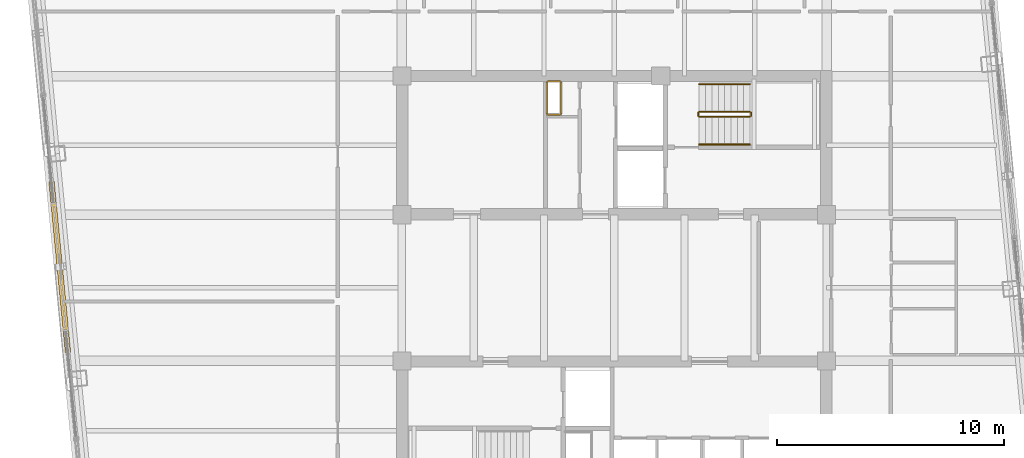
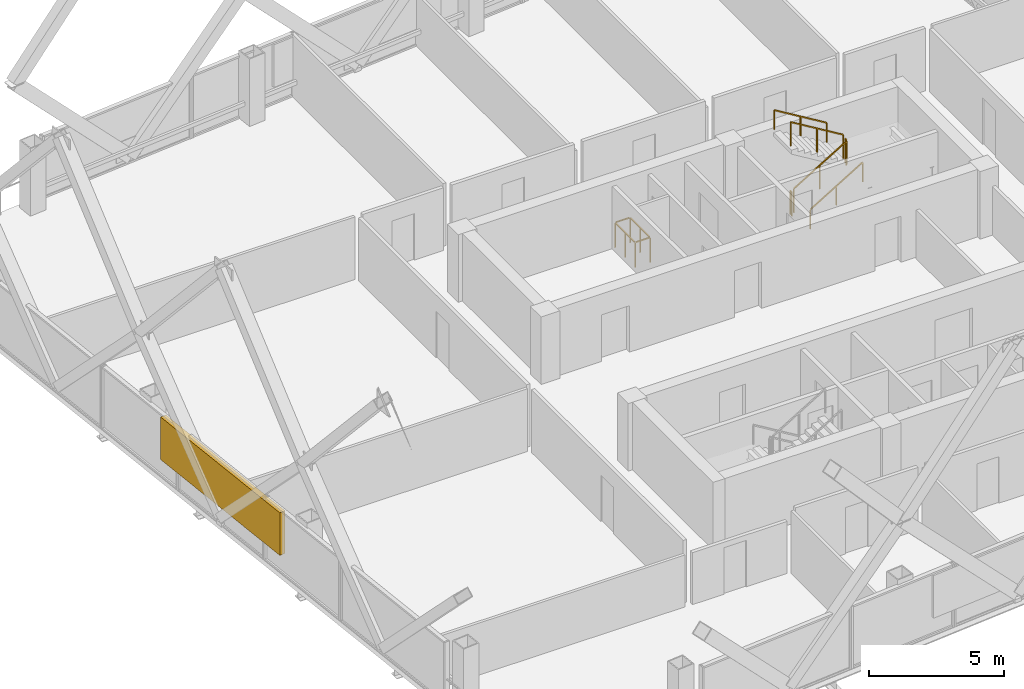
# One storey, part 33 of 34: 7 railings, 1 shading device.
"""IFC4 building model written with IfcOpenShell, lengths in metres."""

from ifc_helpers import new_model, si_unit, direction, frame, origin, origin_2d, place, context, subcontext, project, spatial, rectangle, extrude, material, type_object, element, save


model = new_model("IFC4")

# Units and contexts
model_context = context("Model", 3, precision=1e-05, world=origin(), true_north=direction((0.0, 1.0)))
body_context = subcontext(model_context, "Body", "Model", "MODEL_VIEW")
ifc_project = project(units=[si_unit("LENGTHUNIT", "METRE"), si_unit("AREAUNIT", "SQUARE_METRE"), si_unit("VOLUMEUNIT", "CUBIC_METRE"), si_unit("PLANEANGLEUNIT", "RADIAN"), si_unit("MASSUNIT", "GRAM", prefix="KILO")], contexts=[model_context])

# Site, building, storey
site_placement = place(None, origin())
site = spatial("IfcSite", under=ifc_project, at=site_placement, CompositionType="ELEMENT")
building_placement = place(site_placement, origin())
building = spatial("IfcBuilding", under=site, at=building_placement, Name="Qhalaya Broadcast Tower", CompositionType="ELEMENT")
storey_placement = place(building_placement, frame((0.0, 0.0, 168.35009765625)))
storey = spatial("IfcBuildingStorey", under=building, at=storey_placement, Name="L49", CompositionType="ELEMENT", Elevation=168.35009765625)

# Railings
ifc_material_1 = material(Name="Powder-Coated Galvanised Steel", Category="steel")
railing_type_1 = type_object("IfcRailingType", Name="Stair Wall Handrail 900", PredefinedType="HANDRAIL", material=ifc_material_1)
railing_1_placement = place(storey_placement, frame((3.75, 6.929931640625, 0.16943359375)))
element("IfcRailing", 1, at=railing_1_placement, inside=storey, type_object=railing_type_1, Name="L49 ST-1 Stair Handrail 1", PredefinedType="HANDRAIL", context=body_context, shape_type="SweptSolid", body=[
    extrude(rectangle(XDim=0.048095703125, YDim=0.048095703125, at=origin_2d()), frame((0.0, 0.0, 0.8759765625), z_axis=(0.855553338991, 0.0, 0.51771467445), x_axis=(0.0, 1.0, 0.0)), (0.0, 0.0, 1.0), 2.6181640625),
    extrude(rectangle(XDim=0.0419921875, YDim=0.0419921875, at=origin_2d()), origin(), (0.0, 0.0, 1.0), 0.849853515625),
    extrude(rectangle(XDim=0.0419921875, YDim=0.0419921875, at=origin_2d()), frame((1.1201171875, 0.0, 0.677734375)), (0.0, 0.0, 1.0), 0.849853515625),
    extrude(rectangle(XDim=0.0419921875, YDim=0.0419921875, at=origin_2d()), frame((2.239990234375, 0.0, 1.35546875)), (0.0, 0.0, 1.0), 0.849853515625),
])
railing_2_placement = place(storey_placement, frame((5.989990234375, 9.590087890625, 1.6943359375)))
element("IfcRailing", 2, at=railing_2_placement, inside=storey, type_object=railing_type_1, Name="L49 ST-1 Stair Handrail 2", PredefinedType="HANDRAIL", context=body_context, shape_type="SweptSolid", body=[
    extrude(rectangle(XDim=0.048095703125, YDim=0.048095703125, at=origin_2d()), frame((0.0, 0.0, 0.8759765625), z_axis=(-0.855553338991, 0.0, 0.51771467445), x_axis=(0.0, -1.0, 0.0)), (0.0, 0.0, 1.0), 2.6181640625),
    extrude(rectangle(XDim=0.0419921875, YDim=0.0419921875, at=origin_2d()), origin(), (0.0, 0.0, 1.0), 0.849853515625),
    extrude(rectangle(XDim=0.0419921875, YDim=0.0419921875, at=origin_2d()), frame((-1.1201171875, 0.0, 0.677734375)), (0.0, 0.0, 1.0), 0.849853515625),
    extrude(rectangle(XDim=0.0419921875, YDim=0.0419921875, at=origin_2d()), frame((-2.239990234375, 0.0, 1.35546875)), (0.0, 0.0, 1.0), 0.849853515625),
])
railing_type_2 = type_object("IfcRailingType", Name="Stair Well & Landing Guardrail 1100", PredefinedType="GUARDRAIL", material=ifc_material_1)
railing_3_placement = place(storey_placement, frame((-2.340087890625, 8.239990234375, 0.0)))
element("IfcRailing", 3, at=railing_3_placement, inside=storey, type_object=railing_type_2, Name="L49 Service Riser Opening Safety Guard NRSR", PredefinedType="GUARDRAIL", context=body_context, shape_type="SweptSolid", body=[
    extrude(rectangle(XDim=0.048095703125, YDim=0.048095703125, at=origin_2d()), frame((0.0, 0.02880859375, 1.1259765625), z_axis=(0.0, 1.0, 0.0), x_axis=(-1.0, 0.0, 0.0)), (0.0, 0.0, 1.0), 1.42236328125),
    extrude(rectangle(XDim=0.048095703125, YDim=0.048095703125, at=origin_2d()), frame((-0.02880859375, 1.47998046875, 1.1259765625), z_axis=(-1.0, 0.0, 0.0), x_axis=(0.0, -1.0, 0.0)), (0.0, 0.0, 1.0), 0.582275390625),
    extrude(rectangle(XDim=0.048095703125, YDim=0.048095703125, at=origin_2d()), frame((-0.639892578125, 1.451171875, 1.1259765625), z_axis=(0.0, -1.0, 0.0), x_axis=(1.0, 0.0, 0.0)), (0.0, 0.0, 1.0), 1.42236328125),
    extrude(rectangle(XDim=0.048095703125, YDim=0.048095703125, at=origin_2d()), frame((-0.611083984375, 0.0, 1.1259765625), z_axis=(1.0, 0.0, 0.0), x_axis=(0.0, 1.0, 0.0)), (0.0, 0.0, 1.0), 0.582275390625),
    extrude(rectangle(XDim=0.0419921875, YDim=0.0419921875, at=origin_2d()), origin(), (0.0, 0.0, 1.0), 1.099853515625),
    extrude(rectangle(XDim=0.0419921875, YDim=0.0419921875, at=origin_2d()), frame((0.0, 0.739990234375, 0.0)), (0.0, 0.0, 1.0), 1.099853515625),
    extrude(rectangle(XDim=0.0419921875, YDim=0.0419921875, at=origin_2d()), frame((0.0, 1.47998046875, 0.0)), (0.0, 0.0, 1.0), 1.099853515625),
    extrude(rectangle(XDim=0.0419921875, YDim=0.0419921875, at=origin_2d()), frame((-0.639892578125, 1.47998046875, 0.0)), (0.0, 0.0, 1.0), 1.099853515625),
    extrude(rectangle(XDim=0.0419921875, YDim=0.0419921875, at=origin_2d()), frame((-0.639892578125, 0.739990234375, 0.0)), (0.0, 0.0, 1.0), 1.099853515625),
    extrude(rectangle(XDim=0.0419921875, YDim=0.0419921875, at=origin_2d()), frame((-0.639892578125, 0.0, 0.0)), (0.0, 0.0, 1.0), 1.099853515625),
])
railing_4_placement = place(storey_placement, frame((3.75, 8.14990234375, 0.16943359375)))
element("IfcRailing", 4, at=railing_4_placement, inside=storey, type_object=railing_type_2, Name="L49 ST-1 Stair Guard 1", PredefinedType="GUARDRAIL", context=body_context, shape_type="SweptSolid", body=[
    extrude(rectangle(XDim=0.048095703125, YDim=0.048095703125, at=origin_2d()), frame((0.0, 0.0, 1.076171875), z_axis=(0.855553338991, 0.0, 0.51771467445), x_axis=(0.0, 1.0, 0.0)), (0.0, 0.0, 1.0), 2.6181640625),
    extrude(rectangle(XDim=0.0419921875, YDim=0.0419921875, at=origin_2d()), origin(), (0.0, 0.0, 1.0), 1.050048828125),
    extrude(rectangle(XDim=0.0419921875, YDim=0.0419921875, at=origin_2d()), frame((1.1201171875, 0.0, 0.677734375)), (0.0, 0.0, 1.0), 1.050048828125),
    extrude(rectangle(XDim=0.0419921875, YDim=0.0419921875, at=origin_2d()), frame((2.239990234375, 0.0, 1.35546875)), (0.0, 0.0, 1.0), 1.050048828125),
])
railing_5_placement = place(storey_placement, frame((6.0400390625, 8.199951171875, 1.52490234375)))
element("IfcRailing", 5, at=railing_5_placement, inside=storey, type_object=railing_type_2, Name="L49 ST-1 Stair Guard 2", PredefinedType="GUARDRAIL", context=body_context, shape_type="SweptSolid", body=[
    extrude(rectangle(XDim=0.048095703125, YDim=0.048095703125, at=origin_2d()), frame((0.0, 0.0, 1.076171875), z_axis=(0.0, 1.0, 0.0), x_axis=(-1.0, 0.0, 0.0)), (0.0, 0.0, 1.0), 0.1201171875),
    extrude(rectangle(XDim=0.0419921875, YDim=0.0419921875, at=origin_2d()), origin(), (0.0, 0.0, 1.0), 1.050048828125),
    extrude(rectangle(XDim=0.0419921875, YDim=0.0419921875, at=origin_2d()), frame((0.0, 0.1201171875, 0.0)), (0.0, 0.0, 1.0), 1.050048828125),
])
railing_6_placement = place(storey_placement, frame((5.989990234375, 8.3701171875, 1.6943359375)))
element("IfcRailing", 6, at=railing_6_placement, inside=storey, type_object=railing_type_2, Name="L49 ST-1 Stair Guard 3", PredefinedType="GUARDRAIL", context=body_context, shape_type="SweptSolid", body=[
    extrude(rectangle(XDim=0.048095703125, YDim=0.048095703125, at=origin_2d()), frame((0.0, 0.0, 1.076171875), z_axis=(-0.855553338991, 0.0, 0.51771467445), x_axis=(0.0, -1.0, 0.0)), (0.0, 0.0, 1.0), 2.6181640625),
    extrude(rectangle(XDim=0.0419921875, YDim=0.0419921875, at=origin_2d()), origin(), (0.0, 0.0, 1.0), 1.050048828125),
    extrude(rectangle(XDim=0.0419921875, YDim=0.0419921875, at=origin_2d()), frame((-1.1201171875, 0.0, 0.677734375)), (0.0, 0.0, 1.0), 1.050048828125),
    extrude(rectangle(XDim=0.0419921875, YDim=0.0419921875, at=origin_2d()), frame((-2.239990234375, 0.0, 1.35546875)), (0.0, 0.0, 1.0), 1.050048828125),
])
railing_7_placement = place(storey_placement, frame((3.699951171875, 8.199951171875, 0.0)))
element("IfcRailing", 7, at=railing_7_placement, inside=storey, type_object=railing_type_2, Name="L49 ST-1 Stair Guard 4", PredefinedType="GUARDRAIL", context=body_context, shape_type="SweptSolid", body=[
    extrude(rectangle(XDim=0.048095703125, YDim=0.048095703125, at=origin_2d()), frame((0.0, 0.0, 1.076171875), z_axis=(0.0, 1.0, 0.0), x_axis=(-1.0, 0.0, 0.0)), (0.0, 0.0, 1.0), 0.1201171875),
    extrude(rectangle(XDim=0.0419921875, YDim=0.0419921875, at=origin_2d()), origin(), (0.0, 0.0, 1.0), 1.050048828125),
    extrude(rectangle(XDim=0.0419921875, YDim=0.0419921875, at=origin_2d()), frame((0.0, 0.1201171875, 0.0)), (0.0, 0.0, 1.0), 1.050048828125),
])

# Shading device
ifc_material_2 = material(Name="Fired Architectural Terracotta", Category="masonry")
shading_device_type = type_object("IfcShadingDeviceType", Name="Terracotta Baguette Solar Screen Assembly TBS-01", PredefinedType="USERDEFINED", material=ifc_material_2)
shading_device_placement = place(storey_placement, frame((-24.47314453125, 1.5244140625, 0.79248046875), z_axis=(0.0, 0.0, 1.0), x_axis=(0.09584575252, -0.995396198367, 0.0)))
element("IfcShadingDevice", 8, at=shading_device_placement, inside=storey, type_object=shading_device_type, Name="L49 Fired Terracotta Baguette Screen W", ObjectType="BAGUETTE", PredefinedType="USERDEFINED", context=body_context, shape_type="SweptSolid", body=[
    extrude(rectangle(XDim=7.60009765625, YDim=0.239990234375, at=origin_2d()), origin(), (0.0, 0.0, 1.0), 1.924072265625),
])

save(model, "model.ifc")
